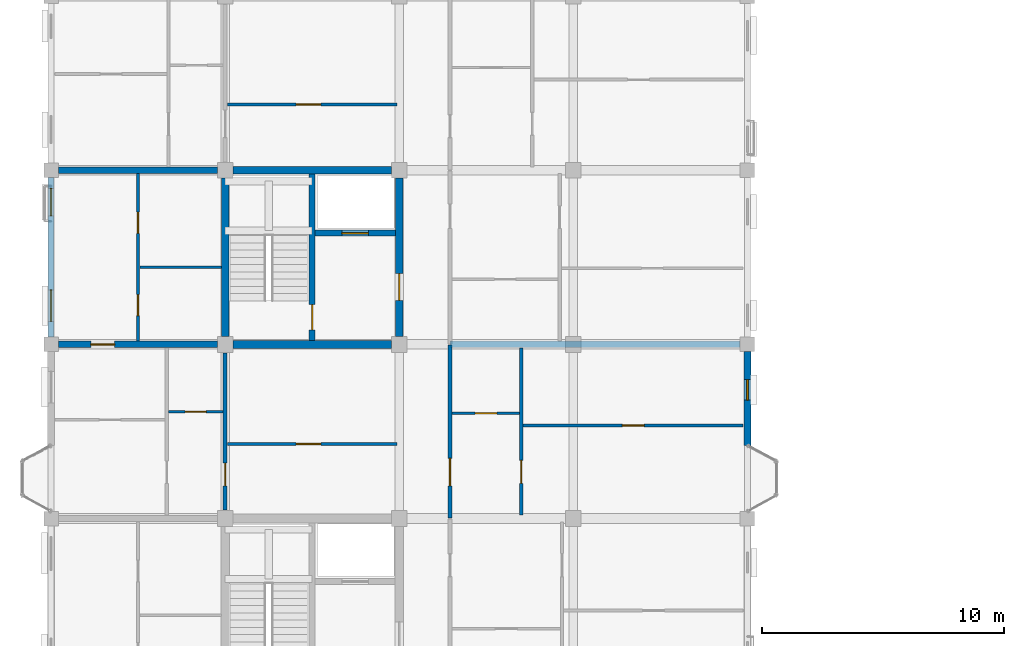
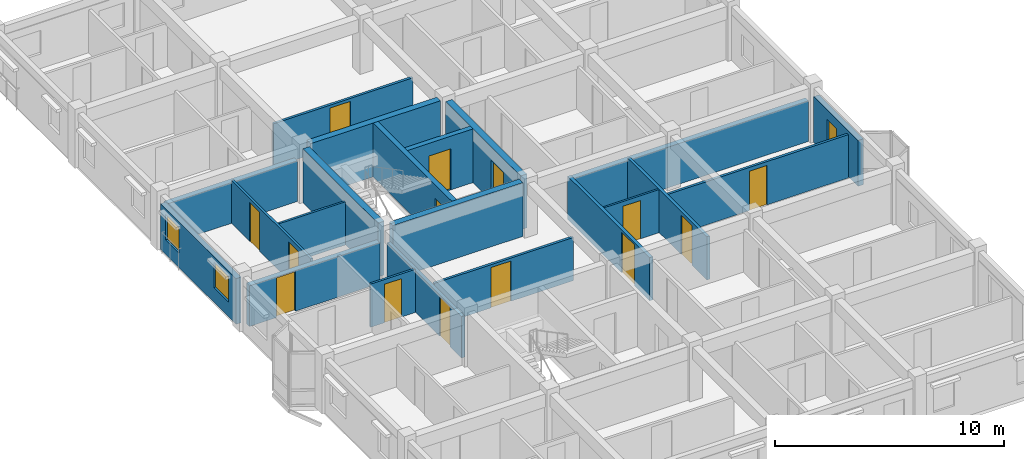
# One storey, part 91 of 124: 21 walls, 14 doors, 3 windows, 17 openings.
"""IFC4 building model written with IfcOpenShell, lengths in metres."""

from ifc_helpers import new_model, si_unit, direction, frame, frame_2d, origin, place, context, subcontext, project, spatial, rectangle, extrude, material, layer, layer_set, type_object, element, fill, save


model = new_model("IFC4")

# Units and contexts
model_context = context("Model", 3, precision=1e-05, world=origin(), true_north=direction((0.0, 1.0)))
body_context = subcontext(model_context, "Body", "Model", "MODEL_VIEW")
ifc_project = project(units=[si_unit("LENGTHUNIT", "METRE"), si_unit("AREAUNIT", "SQUARE_METRE"), si_unit("VOLUMEUNIT", "CUBIC_METRE"), si_unit("PLANEANGLEUNIT", "RADIAN"), si_unit("MASSUNIT", "GRAM", prefix="KILO"), si_unit("THERMODYNAMICTEMPERATUREUNIT", "KELVIN"), si_unit("POWERUNIT", "WATT")], contexts=[model_context])

# Site, building, storey
site_placement = place(None, origin())
site = spatial("IfcSite", under=ifc_project, at=site_placement, CompositionType="ELEMENT")
building_placement = place(site_placement, origin())
building = spatial("IfcBuilding", under=site, at=building_placement, Name="Tavuni Mirador Residences", CompositionType="ELEMENT")
storey_placement = place(building_placement, frame((0.0, 0.0, 7.64990234375)))
storey = spatial("IfcBuildingStorey", under=building, at=storey_placement, Name="L02", CompositionType="ELEMENT", Elevation=7.64990234375)

# Wall, opening, door
ifc_material_1 = material(Name="Precast concrete C40/50", Category="concrete")
ifc_layer_1 = layer(ifc_material_1, 0.25, Name="Precast concrete C40/50", Category="concrete")
ifc_layer_set_1 = layer_set([ifc_layer_1], Name="Precast concrete C40/50")
wall_type_1 = type_object("IfcWallType", Name="WT-COR250", PredefinedType="SHEAR", material=ifc_layer_set_1)
wall_1_placement = place(storey_placement, frame((14.39990234375, 28.9599609375, 0.0), z_axis=(0.0, 0.0, 1.0), x_axis=(0.0, 1.0, 0.0)))
wall_1 = element("IfcWall", 1, at=wall_1_placement, inside=storey, type_object=wall_type_1, Name="CWALL-C2-L02-MID", PredefinedType="SHEAR", context=body_context, shape_type="SweptSolid", body=[
    extrude(rectangle(XDim=6.880126953125, YDim=0.25, at=frame_2d((3.43994140625, 0.0))), origin(), (0.0, 0.0, 1.0), 2.8701171875),
])
opening_1_placement = place(wall_1_placement, frame((0.43994140625, 0.0, 0.0)))
opening_1 = element("IfcOpeningElement", 2, at=opening_1_placement, cuts=wall_1, Name="Opening D-01", PredefinedType="OPENING", context=body_context, shape_type="SweptSolid", body=[
    extrude(rectangle(XDim=1.050048828125, YDim=2.14990234375, at=frame_2d((0.52490234375, 1.074951171875))), frame((0.0, 0.135009765625, 0.0), z_axis=(0.0, -1.0, 0.0), x_axis=(1.0, 0.0, 0.0)), (0.0, 0.0, 1.0), 0.27001953125),
])
ifc_material_2 = material(Name="Solid core iroko timber", Category="wood")
door_type_1 = type_object("IfcDoorType", Name="DT-ST1050", OperationType="NOTDEFINED", PredefinedType="DOOR", material=ifc_material_2)
door_1_placement = place(opening_1_placement, origin())
door_1 = element("IfcDoor", 3, at=door_1_placement, inside=storey, type_object=door_type_1, Name="DR-2066", OperationType="SINGLE_SWING_RIGHT", OverallHeight=2.14990234375, OverallWidth=1.050048828125, PredefinedType="DOOR", context=body_context, shape_type="SweptSolid", body=[
    extrude(rectangle(XDim=1.050048828125, YDim=2.14990234375, at=frame_2d((0.52490234375, 1.074951171875))), frame((0.0, 0.02490234375, 0.0), z_axis=(0.0, -1.0, 0.0), x_axis=(1.0, 0.0, 0.0)), (0.0, 0.0, 1.0), 0.050048828125),
])
fill(opening_1, door_1)

wall_2_placement = place(storey_placement, frame((14.52490234375, 33.39990234375, 0.0), z_axis=(0.0, 0.0, 1.0), x_axis=(1.0, 0.0, 0.0)))
wall_2 = element("IfcWall", 4, at=wall_2_placement, inside=storey, type_object=wall_type_1, Name="CWALL-C2-L02-SHF", PredefinedType="SHEAR", context=body_context, shape_type="SweptSolid", body=[
    extrude(rectangle(XDim=3.315185546875, YDim=0.25, at=frame_2d((1.65771484375, 0.0))), origin(), (0.0, 0.0, 1.0), 2.8701171875),
])
opening_2_placement = place(wall_2_placement, frame((1.10009765625, 0.0, 0.0)))
opening_2 = element("IfcOpeningElement", 5, at=opening_2_placement, cuts=wall_2, Name="Opening LD-01", PredefinedType="OPENING", context=body_context, shape_type="SweptSolid", body=[
    extrude(rectangle(XDim=1.10009765625, YDim=2.199951171875, at=frame_2d((0.550048828125, 1.10009765625))), frame((0.0, 0.135009765625, 0.0), z_axis=(0.0, -1.0, 0.0), x_axis=(1.0, 0.0, 0.0)), (0.0, 0.0, 1.0), 0.27001953125),
])
ifc_material_3 = material(Name="Structural steel S355", Category="steel")
door_type_2 = type_object("IfcDoorType", Name="DT-LD-FF", OperationType="SLIDING_TO_LEFT", PredefinedType="DOOR", material=ifc_material_3)
door_2_placement = place(opening_2_placement, origin())
door_2 = element("IfcDoor", 6, at=door_2_placement, inside=storey, type_object=door_type_2, Name="Lift landing door FL-A2 L02", OperationType="SLIDING_TO_LEFT", OverallHeight=2.199951171875, OverallWidth=1.10009765625, PredefinedType="DOOR", context=body_context, shape_type="SweptSolid", body=[
    extrude(rectangle(XDim=1.10009765625, YDim=2.199951171875, at=frame_2d((0.550048828125, 1.10009765625))), frame((0.0, 0.02490234375, 0.0), z_axis=(0.0, -1.0, 0.0), x_axis=(1.0, 0.0, 0.0)), (0.0, 0.0, 1.0), 0.050048828125),
])
fill(opening_2, door_2)

# Walls
ifc_layer_2 = layer(ifc_material_1, 0.320068359375, Name="Precast concrete C40/50", Category="concrete")
ifc_layer_set_2 = layer_set([ifc_layer_2], Name="Precast concrete C40/50")
wall_type_2 = type_object("IfcWallType", Name="WT-COR320", PredefinedType="SHEAR", material=ifc_layer_set_2)
for number, where, z_axis, x_axis, name in (
    (7, (10.800048828125, 29.125, 0.0), (0.0, 0.0, 1.0), (0.0, 1.0, 0.0), "CWALL-C2-L02-W"),
    (8, (11.125, 36.0, 0.0), (0.0, 0.0, 1.0), (1.0, 0.0, 0.0), "CWALL-C2-L02-N"),
):
    element("IfcWall", number, at=place(storey_placement, frame(where, z_axis=z_axis, x_axis=x_axis)), inside=storey, type_object=wall_type_2, Name=name, PredefinedType="SHEAR", context=body_context, shape_type="SweptSolid", body=[
        extrude(rectangle(XDim=6.550048828125, YDim=0.320068359375, at=frame_2d((3.27490234375, 0.0))), origin(), (0.0, 0.0, 1.0), 2.8701171875),
    ])

# Wall, opening, door
wall_3_placement = place(storey_placement, frame((18.0, 29.125, 0.0), z_axis=(0.0, 0.0, 1.0), x_axis=(0.0, 1.0, 0.0)))
wall_3 = element("IfcWall", 9, at=wall_3_placement, inside=storey, type_object=wall_type_2, Name="CWALL-C2-L02-E", PredefinedType="SHEAR", context=body_context, shape_type="SweptSolid", body=[
    extrude(rectangle(XDim=6.550048828125, YDim=0.320068359375, at=frame_2d((3.27490234375, 0.0))), origin(), (0.0, 0.0, 1.0), 2.8701171875),
])
opening_3_placement = place(wall_3_placement, frame((1.5, 0.0, 0.0)))
opening_3 = element("IfcOpeningElement", 10, at=opening_3_placement, cuts=wall_3, Name="Opening D-02", PredefinedType="OPENING", context=body_context, shape_type="SweptSolid", body=[
    extrude(rectangle(XDim=1.10009765625, YDim=2.14990234375, at=frame_2d((0.550048828125, 1.074951171875))), frame((0.0, 0.169921875, 0.0), z_axis=(0.0, -1.0, 0.0), x_axis=(1.0, 0.0, 0.0)), (0.0, 0.0, 1.0), 0.340087890625),
])
door_type_3 = type_object("IfcDoorType", Name="DT-LOB1100", OperationType="NOTDEFINED", PredefinedType="DOOR", material=ifc_material_2)
door_3_placement = place(opening_3_placement, frame((1.10009765625, 0.0, 0.0), z_axis=(0.0, 0.0, 1.0), x_axis=(-1.0, 0.0, 0.0)))
door_3 = element("IfcDoor", 11, at=door_3_placement, inside=storey, type_object=door_type_3, Name="DR-2065", OperationType="SINGLE_SWING_RIGHT", OverallHeight=2.14990234375, OverallWidth=1.10009765625, PredefinedType="DOOR", context=body_context, shape_type="SweptSolid", body=[
    extrude(rectangle(XDim=1.10009765625, YDim=2.14990234375, at=frame_2d((0.550048828125, 1.074951171875))), frame((0.0, 0.02490234375, 0.0), z_axis=(0.0, -1.0, 0.0), x_axis=(1.0, 0.0, 0.0)), (0.0, 0.0, 1.0), 0.050048828125),
])
fill(opening_3, door_3)

# Wall
wall_4_placement = place(storey_placement, frame((11.125, 28.800048828125, 0.0), z_axis=(0.0, 0.0, 1.0), x_axis=(1.0, 0.0, 0.0)))
element("IfcWall", 12, at=wall_4_placement, inside=storey, type_object=wall_type_2, Name="CWALL-C2-L02-SS", PredefinedType="SHEAR", context=body_context, shape_type="SweptSolid", body=[
    extrude(rectangle(XDim=6.550048828125, YDim=0.320068359375, at=frame_2d((3.27490234375, 0.0))), origin(), (0.0, 0.0, 1.0), 2.8701171875),
])

# Wall, opening, door
ifc_layer_3 = layer(ifc_material_1, 0.1650390625, Name="Precast concrete C40/50", Category="concrete")
ifc_layer_set_3 = layer_set([ifc_layer_3], Name="Precast concrete C40/50")
wall_type_3 = type_object("IfcWallType", Name="WT-CORR165", PredefinedType="PARTITIONING", material=ifc_layer_set_3)
wall_5_placement = place(storey_placement, frame((20.10009765625, 21.6201171875, 0.0), z_axis=(0.0, 0.0, 1.0), x_axis=(0.0, 1.0, 0.0)))
wall_5 = element("IfcWall", 13, at=wall_5_placement, inside=storey, type_object=wall_type_3, Name="CORW-BLK-A-L02-0-02", PredefinedType="PARTITIONING", context=body_context, shape_type="SweptSolid", body=[
    extrude(rectangle(XDim=7.159912109375, YDim=0.1650390625, at=frame_2d((3.580078125, 0.0))), origin(), (0.0, 0.0, 1.0), 2.30517578125),
])
opening_4_placement = place(wall_5_placement, frame((1.330078125, 0.0, 0.0)))
opening_4 = element("IfcOpeningElement", 14, at=opening_4_placement, cuts=wall_5, Name="Opening D-20", PredefinedType="OPENING", context=body_context, shape_type="SweptSolid", body=[
    extrude(rectangle(XDim=1.139892578125, YDim=2.179931640625, at=frame_2d((0.56982421875, 1.08984375))), frame((0.0, 0.092529296875, 0.0), z_axis=(0.0, -1.0, 0.0), x_axis=(1.0, 0.0, 0.0)), (0.0, 0.0, 1.0), 0.18505859375),
])
door_type_4 = type_object("IfcDoorType", Name="DT-FD60-1140", OperationType="NOTDEFINED", PredefinedType="DOOR", material=ifc_material_2)
door_4_placement = place(opening_4_placement, origin())
door_4 = element("IfcDoor", 15, at=door_4_placement, inside=storey, type_object=door_type_4, Name="DR-2405", OperationType="SINGLE_SWING_RIGHT", OverallHeight=2.179931640625, OverallWidth=1.139892578125, PredefinedType="DOOR", context=body_context, shape_type="SweptSolid", body=[
    extrude(rectangle(XDim=1.139892578125, YDim=2.179931640625, at=frame_2d((0.56982421875, 1.08984375))), frame((0.0, 0.02490234375, 0.0), z_axis=(0.0, -1.0, 0.0), x_axis=(1.0, 0.0, 0.0)), (0.0, 0.0, 1.0), 0.050048828125),
])
fill(opening_4, door_4)

wall_6_placement = place(storey_placement, frame((10.800048828125, 21.949951171875, 0.0), z_axis=(0.0, 0.0, 1.0), x_axis=(0.0, 1.0, 0.0)))
wall_6 = element("IfcWall", 16, at=wall_6_placement, inside=storey, type_object=wall_type_3, Name="CORW-BLK-A-L02-1-02", PredefinedType="PARTITIONING", context=body_context, shape_type="SweptSolid", body=[
    extrude(rectangle(XDim=6.5, YDim=0.1650390625, at=frame_2d((3.25, 0.0))), origin(), (0.0, 0.0, 1.0), 2.22021484375),
])
opening_5_placement = place(wall_6_placement, frame((1.0, 0.0, 0.0)))
opening_5 = element("IfcOpeningElement", 17, at=opening_5_placement, cuts=wall_6, Name="Opening D-19", PredefinedType="OPENING", context=body_context, shape_type="SweptSolid", body=[
    extrude(rectangle(XDim=0.93994140625, YDim=2.1201171875, at=frame_2d((0.469970703125, 1.06005859375))), frame((0.0, 0.092529296875, 0.0), z_axis=(0.0, -1.0, 0.0), x_axis=(1.0, 0.0, 0.0)), (0.0, 0.0, 1.0), 0.18505859375),
])
door_type_5 = type_object("IfcDoorType", Name="DT-FD60-940", OperationType="NOTDEFINED", PredefinedType="DOOR", material=ifc_material_2)
door_5_placement = place(opening_5_placement, origin())
door_5 = element("IfcDoor", 18, at=door_5_placement, inside=storey, type_object=door_type_5, Name="DR-2410", OperationType="SINGLE_SWING_LEFT", OverallHeight=2.1201171875, OverallWidth=0.93994140625, PredefinedType="DOOR", context=body_context, shape_type="SweptSolid", body=[
    extrude(rectangle(XDim=0.93994140625, YDim=2.1201171875, at=frame_2d((0.469970703125, 1.06005859375))), frame((0.0, 0.02490234375, 0.0), z_axis=(0.0, -1.0, 0.0), x_axis=(1.0, 0.0, 0.0)), (0.0, 0.0, 1.0), 0.050048828125),
])
fill(opening_5, door_5)

# Wall, openings, windows
ifc_material_4 = material(Name="Sgraffito lime-rendered precast concrete C40/50", Category="concrete")
ifc_layer_4 = layer(ifc_material_4, 0.2548828125, Name="Sgraffito lime-rendered precast concrete C40/50", Category="concrete")
ifc_layer_set_4 = layer_set([ifc_layer_4], Name="Sgraffito lime-rendered precast concrete C40/50")
wall_type_4 = type_object("IfcWallType", Name="WT-EXT-PC255", PredefinedType="SOLIDWALL", material=ifc_layer_set_4)
wall_7_placement = place(storey_placement, frame((3.60009765625, 35.699951171875, 0.0), z_axis=(0.0, 0.0, 1.0), x_axis=(0.0, -1.0, 0.0)))
wall_7 = element("IfcWall", 19, at=wall_7_placement, inside=storey, type_object=wall_type_4, Name="EW-BLK-A-L02-W03", PredefinedType="SOLIDWALL", context=body_context, shape_type="SweptSolid", body=[
    extrude(rectangle(XDim=6.599853515625, YDim=0.2548828125, at=frame_2d((3.2998046875, 0.0))), origin(), (0.0, 0.0, 1.0), 2.440185546875),
])
opening_6_placement = place(wall_7_placement, frame((0.449951171875, 0.0, 0.780029296875)))
opening_6 = element("IfcOpeningElement", 20, at=opening_6_placement, cuts=wall_7, Name="Opening WN-20", PredefinedType="OPENING", context=body_context, shape_type="SweptSolid", body=[
    extrude(rectangle(XDim=1.139892578125, YDim=1.360107421875, at=frame_2d((0.56982421875, 0.68017578125))), frame((0.0, 0.137451171875, 0.0), z_axis=(0.0, -1.0, 0.0), x_axis=(1.0, 0.0, 0.0)), (0.0, 0.0, 1.0), 0.27490234375),
])
opening_7_placement = place(wall_7_placement, frame((4.64990234375, 0.0, 0.780029296875)))
opening_7 = element("IfcOpeningElement", 21, at=opening_7_placement, cuts=wall_7, Name="Opening WN-22", PredefinedType="OPENING", context=body_context, shape_type="SweptSolid", body=[
    extrude(rectangle(XDim=1.300048828125, YDim=1.360107421875, at=frame_2d((0.64990234375, 0.68017578125))), frame((0.0, 0.137451171875, 0.0), z_axis=(0.0, -1.0, 0.0), x_axis=(1.0, 0.0, 0.0)), (0.0, 0.0, 1.0), 0.27490234375),
])
ifc_material_5 = material(Name="Laminated solar-control glass", Category="glass")
window_type_1 = type_object("IfcWindowType", Name="WNT-20", PartitioningType="SINGLE_PANEL", PredefinedType="WINDOW", material=ifc_material_5)
window_1_placement = place(opening_6_placement, origin())
window_1 = element("IfcWindow", 22, at=window_1_placement, inside=storey, type_object=window_type_1, Name="WIN-0107", OverallHeight=1.360107421875, OverallWidth=1.139892578125, PartitioningType="SINGLE_PANEL", PredefinedType="WINDOW", context=body_context, shape_type="SweptSolid", body=[
    extrude(rectangle(XDim=1.139892578125, YDim=1.360107421875, at=frame_2d((0.56982421875, 0.68017578125))), frame((0.0, 0.030029296875, 0.0), z_axis=(0.0, -1.0, 0.0), x_axis=(1.0, 0.0, 0.0)), (0.0, 0.0, 1.0), 0.06005859375),
])
fill(opening_6, window_1)
window_type_2 = type_object("IfcWindowType", Name="WNT-22", PartitioningType="SINGLE_PANEL", PredefinedType="WINDOW", material=ifc_material_5)
window_2_placement = place(opening_7_placement, origin())
window_2 = element("IfcWindow", 23, at=window_2_placement, inside=storey, type_object=window_type_2, Name="WIN-0108", OverallHeight=1.360107421875, OverallWidth=1.300048828125, PartitioningType="SINGLE_PANEL", PredefinedType="WINDOW", context=body_context, shape_type="SweptSolid", body=[
    extrude(rectangle(XDim=1.300048828125, YDim=1.360107421875, at=frame_2d((0.64990234375, 0.68017578125))), frame((0.0, 0.030029296875, 0.0), z_axis=(0.0, -1.0, 0.0), x_axis=(1.0, 0.0, 0.0)), (0.0, 0.0, 1.0), 0.06005859375),
])
fill(opening_7, window_2)

# Wall, opening, window
ifc_layer_5 = layer(ifc_material_4, 0.27490234375, Name="Sgraffito lime-rendered precast concrete C40/50", Category="concrete")
ifc_layer_set_5 = layer_set([ifc_layer_5], Name="Sgraffito lime-rendered precast concrete C40/50")
wall_type_5 = type_object("IfcWallType", Name="WT-EXT-PC275", PredefinedType="SOLIDWALL", material=ifc_layer_set_5)
wall_8_placement = place(storey_placement, frame((32.39990234375, 24.6201171875, 0.0), z_axis=(0.0, 0.0, 1.0), x_axis=(0.0, 1.0, 0.0)))
wall_8 = element("IfcWall", 24, at=wall_8_placement, inside=storey, type_object=wall_type_5, Name="EW-BLK-A-L02-E02", PredefinedType="SOLIDWALL", context=body_context, shape_type="SweptSolid", body=[
    extrude(rectangle(XDim=3.8798828125, YDim=0.27490234375, at=frame_2d((1.93994140625, 0.0))), origin(), (0.0, 0.0, 1.0), 2.440185546875),
])
opening_8_placement = place(wall_8_placement, frame((1.875, 0.0, 0.780029296875)))
opening_8 = element("IfcOpeningElement", 25, at=opening_8_placement, cuts=wall_8, Name="Opening WN-01", PredefinedType="OPENING", context=body_context, shape_type="SweptSolid", body=[
    extrude(rectangle(XDim=0.85009765625, YDim=1.14990234375, at=frame_2d((0.425048828125, 0.574951171875))), frame((0.0, 0.1474609375, 0.0), z_axis=(0.0, -1.0, 0.0), x_axis=(1.0, 0.0, 0.0)), (0.0, 0.0, 1.0), 0.294921875),
])
window_type_3 = type_object("IfcWindowType", Name="WNT-01", PartitioningType="SINGLE_PANEL", PredefinedType="WINDOW", material=ifc_material_5)
window_3_placement = place(opening_8_placement, origin())
window_3 = element("IfcWindow", 26, at=window_3_placement, inside=storey, type_object=window_type_3, Name="WIN-0088", OverallHeight=1.14990234375, OverallWidth=0.85009765625, PartitioningType="SINGLE_PANEL", PredefinedType="WINDOW", context=body_context, shape_type="SweptSolid", body=[
    extrude(rectangle(XDim=0.85009765625, YDim=1.14990234375, at=frame_2d((0.425048828125, 0.574951171875))), frame((0.0, 0.030029296875, 0.0), z_axis=(0.0, -1.0, 0.0), x_axis=(1.0, 0.0, 0.0)), (0.0, 0.0, 1.0), 0.06005859375),
])
fill(opening_8, window_3)

# Wall, opening, door
ifc_material_6 = material(Name="Acoustic gypsum and concrete block partition", Category="concrete")
ifc_layer_6 = layer(ifc_material_6, 0.094970703125, Name="Acoustic gypsum and concrete block partition", Category="concrete")
ifc_layer_set_6 = layer_set([ifc_layer_6], Name="Acoustic gypsum and concrete block partition")
wall_type_6 = type_object("IfcWallType", Name="WT-PART095", PredefinedType="PARTITIONING", material=ifc_layer_set_6)
wall_9_placement = place(storey_placement, frame((20.18994140625, 25.949951171875, 0.0), z_axis=(0.0, 0.0, 1.0), x_axis=(1.0, 0.0, 0.0)))
wall_9 = element("IfcWall", 27, at=wall_9_placement, inside=storey, type_object=wall_type_6, Name="PW-BLK-A-L02-E02-IN1", PredefinedType="PARTITIONING", context=body_context, shape_type="SweptSolid", body=[
    extrude(rectangle(XDim=2.7900390625, YDim=0.094970703125, at=frame_2d((1.39501953125, 0.0))), origin(), (0.0, 0.0, 1.0), 2.30517578125),
])
opening_9_placement = place(wall_9_placement, frame((0.945068359375, 0.0, 0.0)))
opening_9 = element("IfcOpeningElement", 28, at=opening_9_placement, cuts=wall_9, Name="Opening D-09", PredefinedType="OPENING", context=body_context, shape_type="SweptSolid", body=[
    extrude(rectangle(XDim=0.89990234375, YDim=2.050048828125, at=frame_2d((0.449951171875, 1.02490234375))), frame((0.0, 0.0576171875, 0.0), z_axis=(0.0, -1.0, 0.0), x_axis=(1.0, 0.0, 0.0)), (0.0, 0.0, 1.0), 0.114990234375),
])
door_type_6 = type_object("IfcDoorType", Name="DT-WC900", OperationType="NOTDEFINED", PredefinedType="DOOR", material=ifc_material_2)
door_6_placement = place(opening_9_placement, origin())
door_6 = element("IfcDoor", 29, at=door_6_placement, inside=storey, type_object=door_type_6, Name="DR-3007", OperationType="SINGLE_SWING_RIGHT", OverallHeight=2.050048828125, OverallWidth=0.89990234375, PredefinedType="DOOR", context=body_context, shape_type="SweptSolid", body=[
    extrude(rectangle(XDim=0.89990234375, YDim=2.050048828125, at=frame_2d((0.449951171875, 1.02490234375))), frame((0.0, 0.02490234375, 0.0), z_axis=(0.0, -1.0, 0.0), x_axis=(1.0, 0.0, 0.0)), (0.0, 0.0, 1.0), 0.050048828125),
])
fill(opening_9, door_6)

ifc_layer_7 = layer(ifc_material_6, 0.10498046875, Name="Acoustic gypsum and concrete block partition", Category="concrete")
ifc_layer_set_7 = layer_set([ifc_layer_7], Name="Acoustic gypsum and concrete block partition")
wall_type_7 = type_object("IfcWallType", Name="WT-PART105", PredefinedType="PARTITIONING", material=ifc_layer_set_7)
wall_10_placement = place(storey_placement, frame((8.449951171875, 26.02001953125, 0.0), z_axis=(0.0, 0.0, 1.0), x_axis=(1.0, 0.0, 0.0)))
wall_10 = element("IfcWall", 30, at=wall_10_placement, inside=storey, type_object=wall_type_7, Name="PW-BLK-A-L02-W02-IN1", PredefinedType="PARTITIONING", context=body_context, shape_type="SweptSolid", body=[
    extrude(rectangle(XDim=2.260009765625, YDim=0.10498046875, at=frame_2d((1.1298828125, 0.0))), origin(), (0.0, 0.0, 1.0), 2.30517578125),
])
opening_10_placement = place(wall_10_placement, frame((0.695068359375, 0.0, 0.0)))
opening_10 = element("IfcOpeningElement", 31, at=opening_10_placement, cuts=wall_10, Name="Opening D-10", PredefinedType="OPENING", context=body_context, shape_type="SweptSolid", body=[
    extrude(rectangle(XDim=0.8701171875, YDim=2.050048828125, at=frame_2d((0.43505859375, 1.02490234375))), frame((0.0, 0.0625, 0.0), z_axis=(0.0, -1.0, 0.0), x_axis=(1.0, 0.0, 0.0)), (0.0, 0.0, 1.0), 0.125),
])
door_type_7 = type_object("IfcDoorType", Name="DT-WC870", OperationType="NOTDEFINED", PredefinedType="DOOR", material=ifc_material_2)
door_7_placement = place(opening_10_placement, origin())
door_7 = element("IfcDoor", 32, at=door_7_placement, inside=storey, type_object=door_type_7, Name="DR-3004", OperationType="SINGLE_SWING_LEFT", OverallHeight=2.050048828125, OverallWidth=0.8701171875, PredefinedType="DOOR", context=body_context, shape_type="SweptSolid", body=[
    extrude(rectangle(XDim=0.8701171875, YDim=2.050048828125, at=frame_2d((0.43505859375, 1.02490234375))), frame((0.0, 0.02490234375, 0.0), z_axis=(0.0, -1.0, 0.0), x_axis=(1.0, 0.0, 0.0)), (0.0, 0.0, 1.0), 0.050048828125),
])
fill(opening_10, door_7)

# Wall
wall_11_placement = place(storey_placement, frame((7.27001953125, 32.0, 0.0), z_axis=(0.0, 0.0, 1.0), x_axis=(1.0, 0.0, 0.0)))
element("IfcWall", 33, at=wall_11_placement, inside=storey, type_object=wall_type_7, Name="PW-BLK-A-L02-WC03-H", PredefinedType="PARTITIONING", context=body_context, shape_type="SweptSolid", body=[
    extrude(rectangle(XDim=3.389892578125, YDim=0.10498046875, at=frame_2d((1.69482421875, 0.0))), origin(), (0.0, 0.0, 1.0), 2.30517578125),
])

# Wall, openings, doors
ifc_layer_8 = layer(ifc_material_6, 0.114990234375, Name="Acoustic gypsum and concrete block partition", Category="concrete")
ifc_layer_set_8 = layer_set([ifc_layer_8], Name="Acoustic gypsum and concrete block partition")
wall_type_8 = type_object("IfcWallType", Name="WT-PART115", PredefinedType="PARTITIONING", material=ifc_layer_set_8)
wall_12_placement = place(storey_placement, frame((7.199951171875, 28.93994140625, 0.0), z_axis=(0.0, 0.0, 1.0), x_axis=(0.0, 1.0, 0.0)))
wall_12 = element("IfcWall", 34, at=wall_12_placement, inside=storey, type_object=wall_type_8, Name="PW-BLK-A-L02-WC03-M", PredefinedType="PARTITIONING", context=body_context, shape_type="SweptSolid", body=[
    extrude(rectangle(XDim=6.920166015625, YDim=0.114990234375, at=frame_2d((3.4599609375, 0.0))), origin(), (0.0, 0.0, 1.0), 2.30517578125),
])
opening_11_placement = place(wall_12_placement, frame((1.050048828125, 0.0, 0.0)))
opening_11 = element("IfcOpeningElement", 35, at=opening_11_placement, cuts=wall_12, Name="Opening D-10", PredefinedType="OPENING", context=body_context, shape_type="SweptSolid", body=[
    extrude(rectangle(XDim=0.8701171875, YDim=2.050048828125, at=frame_2d((0.43505859375, 1.02490234375))), frame((0.0, 0.0673828125, 0.0), z_axis=(0.0, -1.0, 0.0), x_axis=(1.0, 0.0, 0.0)), (0.0, 0.0, 1.0), 0.135009765625),
])
opening_12_placement = place(wall_12_placement, frame((4.449951171875, 0.0, 0.0)))
opening_12 = element("IfcOpeningElement", 36, at=opening_12_placement, cuts=wall_12, Name="Opening D-08", PredefinedType="OPENING", context=body_context, shape_type="SweptSolid", body=[
    extrude(rectangle(XDim=0.8798828125, YDim=2.080078125, at=frame_2d((0.43994140625, 1.0400390625))), frame((0.0, 0.0673828125, 0.0), z_axis=(0.0, -1.0, 0.0), x_axis=(1.0, 0.0, 0.0)), (0.0, 0.0, 1.0), 0.135009765625),
])
door_type_8 = type_object("IfcDoorType", Name="DT-BED880", OperationType="NOTDEFINED", PredefinedType="DOOR", material=ifc_material_2)
door_8_placement = place(opening_12_placement, origin())
door_8 = element("IfcDoor", 37, at=door_8_placement, inside=storey, type_object=door_type_8, Name="DR-3010", OperationType="SINGLE_SWING_LEFT", OverallHeight=2.080078125, OverallWidth=0.8798828125, PredefinedType="DOOR", context=body_context, shape_type="SweptSolid", body=[
    extrude(rectangle(XDim=0.8798828125, YDim=2.080078125, at=frame_2d((0.43994140625, 1.0400390625))), frame((0.0, 0.02490234375, 0.0), z_axis=(0.0, -1.0, 0.0), x_axis=(1.0, 0.0, 0.0)), (0.0, 0.0, 1.0), 0.050048828125),
])
fill(opening_12, door_8)
door_9_placement = place(opening_11_placement, origin())
door_9 = element("IfcDoor", 38, at=door_9_placement, inside=storey, type_object=door_type_7, Name="DR-3009", OperationType="SINGLE_SWING_RIGHT", OverallHeight=2.050048828125, OverallWidth=0.8701171875, PredefinedType="DOOR", context=body_context, shape_type="SweptSolid", body=[
    extrude(rectangle(XDim=0.8701171875, YDim=2.050048828125, at=frame_2d((0.43505859375, 1.02490234375))), frame((0.0, 0.02490234375, 0.0), z_axis=(0.0, -1.0, 0.0), x_axis=(1.0, 0.0, 0.0)), (0.0, 0.0, 1.0), 0.050048828125),
])
fill(opening_11, door_9)

# Wall, opening, door
ifc_layer_9 = layer(ifc_material_6, 0.125, Name="Acoustic gypsum and concrete block partition", Category="concrete")
ifc_layer_set_9 = layer_set([ifc_layer_9], Name="Acoustic gypsum and concrete block partition")
wall_type_9 = type_object("IfcWallType", Name="WT-PART125", PredefinedType="PARTITIONING", material=ifc_layer_set_9)
wall_13_placement = place(storey_placement, frame((10.889892578125, 24.679931640625, 0.0), z_axis=(0.0, 0.0, 1.0), x_axis=(1.0, 0.0, 0.0)))
wall_13 = element("IfcWall", 39, at=wall_13_placement, inside=storey, type_object=wall_type_9, Name="PW-SPN-BLK-A-L02-02", PredefinedType="PARTITIONING", context=body_context, shape_type="SweptSolid", body=[
    extrude(rectangle(XDim=7.02001953125, YDim=0.125, at=frame_2d((3.510009765625, 0.0))), origin(), (0.0, 0.0, 1.0), 2.30517578125),
])
opening_13_placement = place(wall_13_placement, frame((2.85009765625, 0.0, 0.0)))
opening_13 = element("IfcOpeningElement", 40, at=opening_13_placement, cuts=wall_13, Name="Opening D-13", PredefinedType="OPENING", context=body_context, shape_type="SweptSolid", body=[
    extrude(rectangle(XDim=1.02001953125, YDim=2.14990234375, at=frame_2d((0.510009765625, 1.074951171875))), frame((0.0, 0.072509765625, 0.0), z_axis=(0.0, -1.0, 0.0), x_axis=(1.0, 0.0, 0.0)), (0.0, 0.0, 1.0), 0.14501953125),
])
door_type_9 = type_object("IfcDoorType", Name="DT-MTG1020", OperationType="NOTDEFINED", PredefinedType="DOOR", material=ifc_material_2)
door_10_placement = place(opening_13_placement, origin())
door_10 = element("IfcDoor", 41, at=door_10_placement, inside=storey, type_object=door_type_9, Name="DR-3002", OperationType="SINGLE_SWING_LEFT", OverallHeight=2.14990234375, OverallWidth=1.02001953125, PredefinedType="DOOR", context=body_context, shape_type="SweptSolid", body=[
    extrude(rectangle(XDim=1.02001953125, YDim=2.14990234375, at=frame_2d((0.510009765625, 1.074951171875))), frame((0.0, 0.02490234375, 0.0), z_axis=(0.0, -1.0, 0.0), x_axis=(1.0, 0.0, 0.0)), (0.0, 0.0, 1.0), 0.050048828125),
])
fill(opening_13, door_10)

wall_14_placement = place(storey_placement, frame((23.1201171875, 25.449951171875, 0.0), z_axis=(0.0, 0.0, 1.0), x_axis=(1.0, 0.0, 0.0)))
wall_14 = element("IfcWall", 42, at=wall_14_placement, inside=storey, type_object=wall_type_9, Name="PW-BLK-A-L02-E02-OUT", PredefinedType="PARTITIONING", context=body_context, shape_type="SweptSolid", body=[
    extrude(rectangle(XDim=9.10498046875, YDim=0.125, at=frame_2d((4.552490234375, 0.0))), origin(), (0.0, 0.0, 1.0), 2.30517578125),
])
opening_14_placement = place(wall_14_placement, frame((4.1025390625, 0.0, 0.0)))
opening_14 = element("IfcOpeningElement", 43, at=opening_14_placement, cuts=wall_14, Name="Opening D-07", PredefinedType="OPENING", context=body_context, shape_type="SweptSolid", body=[
    extrude(rectangle(XDim=0.89990234375, YDim=2.10009765625, at=frame_2d((0.449951171875, 1.050048828125))), frame((0.0, 0.072509765625, 0.0), z_axis=(0.0, -1.0, 0.0), x_axis=(1.0, 0.0, 0.0)), (0.0, 0.0, 1.0), 0.14501953125),
])
door_type_10 = type_object("IfcDoorType", Name="DT-BED900", OperationType="NOTDEFINED", PredefinedType="DOOR", material=ifc_material_2)
door_11_placement = place(opening_14_placement, origin())
door_11 = element("IfcDoor", 44, at=door_11_placement, inside=storey, type_object=door_type_10, Name="DR-3006", OperationType="SINGLE_SWING_LEFT", OverallHeight=2.10009765625, OverallWidth=0.89990234375, PredefinedType="DOOR", context=body_context, shape_type="SweptSolid", body=[
    extrude(rectangle(XDim=0.89990234375, YDim=2.10009765625, at=frame_2d((0.449951171875, 1.050048828125))), frame((0.0, 0.02490234375, 0.0), z_axis=(0.0, -1.0, 0.0), x_axis=(1.0, 0.0, 0.0)), (0.0, 0.0, 1.0), 0.050048828125),
])
fill(opening_14, door_11)

wall_15_placement = place(storey_placement, frame((10.889892578125, 38.719970703125, 0.0), z_axis=(0.0, 0.0, 1.0), x_axis=(1.0, 0.0, 0.0)))
wall_15 = element("IfcWall", 45, at=wall_15_placement, inside=storey, type_object=wall_type_9, Name="PW-SPN-BLK-A-L02-04", PredefinedType="PARTITIONING", context=body_context, shape_type="SweptSolid", body=[
    extrude(rectangle(XDim=7.02001953125, YDim=0.125, at=frame_2d((3.510009765625, 0.0))), origin(), (0.0, 0.0, 1.0), 2.30517578125),
])
opening_15_placement = place(wall_15_placement, frame((2.85009765625, 0.0, 0.0)))
opening_15 = element("IfcOpeningElement", 46, at=opening_15_placement, cuts=wall_15, Name="Opening D-13", PredefinedType="OPENING", context=body_context, shape_type="SweptSolid", body=[
    extrude(rectangle(XDim=1.02001953125, YDim=2.14990234375, at=frame_2d((0.510009765625, 1.074951171875))), frame((0.0, 0.072509765625, 0.0), z_axis=(0.0, -1.0, 0.0), x_axis=(1.0, 0.0, 0.0)), (0.0, 0.0, 1.0), 0.14501953125),
])
door_12_placement = place(opening_15_placement, origin())
door_12 = element("IfcDoor", 47, at=door_12_placement, inside=storey, type_object=door_type_9, Name="DR-3014", OperationType="SINGLE_SWING_LEFT", OverallHeight=2.14990234375, OverallWidth=1.02001953125, PredefinedType="DOOR", context=body_context, shape_type="SweptSolid", body=[
    extrude(rectangle(XDim=1.02001953125, YDim=2.14990234375, at=frame_2d((0.510009765625, 1.074951171875))), frame((0.0, 0.02490234375, 0.0), z_axis=(0.0, -1.0, 0.0), x_axis=(1.0, 0.0, 0.0)), (0.0, 0.0, 1.0), 0.050048828125),
])
fill(opening_15, door_12)

ifc_layer_10 = layer(ifc_material_6, 0.14990234375, Name="Acoustic gypsum and concrete block partition", Category="concrete")
ifc_layer_set_10 = layer_set([ifc_layer_10], Name="Acoustic gypsum and concrete block partition")
wall_type_10 = type_object("IfcWallType", Name="WT-PART150", PredefinedType="PARTITIONING", material=ifc_layer_set_10)
wall_16_placement = place(storey_placement, frame((23.050048828125, 21.739990234375, 0.0), z_axis=(0.0, 0.0, 1.0), x_axis=(0.0, 1.0, 0.0)))
wall_16 = element("IfcWall", 48, at=wall_16_placement, inside=storey, type_object=wall_type_10, Name="PW-BLK-A-L02-E02-MID", PredefinedType="PARTITIONING", context=body_context, shape_type="SweptSolid", body=[
    extrude(rectangle(XDim=6.919921875, YDim=0.14990234375, at=frame_2d((3.4599609375, 0.0))), origin(), (0.0, 0.0, 1.0), 2.30517578125),
])
opening_16_placement = place(wall_16_placement, frame((1.31005859375, 0.0, 0.0)))
opening_16 = element("IfcOpeningElement", 49, at=opening_16_placement, cuts=wall_16, Name="Opening D-05", PredefinedType="OPENING", context=body_context, shape_type="SweptSolid", body=[
    extrude(rectangle(XDim=0.949951171875, YDim=2.10009765625, at=frame_2d((0.47509765625, 1.050048828125))), frame((0.0, 0.0849609375, 0.0), z_axis=(0.0, -1.0, 0.0), x_axis=(1.0, 0.0, 0.0)), (0.0, 0.0, 1.0), 0.169921875),
])
door_type_11 = type_object("IfcDoorType", Name="DT-INT950", OperationType="NOTDEFINED", PredefinedType="DOOR", material=ifc_material_2)
door_13_placement = place(opening_16_placement, origin())
door_13 = element("IfcDoor", 50, at=door_13_placement, inside=storey, type_object=door_type_11, Name="DR-3008", OperationType="SINGLE_SWING_LEFT", OverallHeight=2.10009765625, OverallWidth=0.949951171875, PredefinedType="DOOR", context=body_context, shape_type="SweptSolid", body=[
    extrude(rectangle(XDim=0.949951171875, YDim=2.10009765625, at=frame_2d((0.47509765625, 1.050048828125))), frame((0.0, 0.02490234375, 0.0), z_axis=(0.0, -1.0, 0.0), x_axis=(1.0, 0.0, 0.0)), (0.0, 0.0, 1.0), 0.050048828125),
])
fill(opening_16, door_13)

ifc_layer_11 = layer(ifc_material_1, 0.264892578125, Name="Precast concrete C40/50", Category="concrete")
ifc_layer_set_11 = layer_set([ifc_layer_11], Name="Precast concrete C40/50")
wall_type_11 = type_object("IfcWallType", Name="WT-XW265", PredefinedType="SOLIDWALL", material=ifc_layer_set_11)
wall_17_placement = place(storey_placement, frame((3.89990234375, 28.800048828125, 0.0), z_axis=(0.0, 0.0, 1.0), x_axis=(1.0, 0.0, 0.0)))
wall_17 = element("IfcWall", 51, at=wall_17_placement, inside=storey, type_object=wall_type_11, Name="XW-BLK-A-L02-W-03", PredefinedType="SOLIDWALL", context=body_context, shape_type="SweptSolid", body=[
    extrude(rectangle(XDim=6.5751953125, YDim=0.264892578125, at=frame_2d((3.28759765625, 0.0))), origin(), (0.0, 0.0, 1.0), 2.170166015625),
])
opening_17_placement = place(wall_17_placement, frame((1.35009765625, 0.0, 0.0)))
opening_17 = element("IfcOpeningElement", 52, at=opening_17_placement, cuts=wall_17, Name="Opening D-04", PredefinedType="OPENING", context=body_context, shape_type="SweptSolid", body=[
    extrude(rectangle(XDim=0.97998046875, YDim=2.1201171875, at=frame_2d((0.489990234375, 1.06005859375))), frame((0.0, 0.142578125, 0.0), z_axis=(0.0, -1.0, 0.0), x_axis=(1.0, 0.0, 0.0)), (0.0, 0.0, 1.0), 0.284912109375),
])
door_type_12 = type_object("IfcDoorType", Name="DT-FD60-980", OperationType="NOTDEFINED", PredefinedType="DOOR", material=ifc_material_2)
door_14_placement = place(opening_17_placement, origin())
door_14 = element("IfcDoor", 53, at=door_14_placement, inside=storey, type_object=door_type_12, Name="DR-4679", OperationType="SINGLE_SWING_RIGHT", OverallHeight=2.1201171875, OverallWidth=0.97998046875, PredefinedType="DOOR", context=body_context, shape_type="SweptSolid", body=[
    extrude(rectangle(XDim=0.97998046875, YDim=2.1201171875, at=frame_2d((0.489990234375, 1.06005859375))), frame((0.0, 0.02490234375, 0.0), z_axis=(0.0, -1.0, 0.0), x_axis=(1.0, 0.0, 0.0)), (0.0, 0.0, 1.0), 0.050048828125),
])
fill(opening_17, door_14)

# Walls
wall_18_placement = place(storey_placement, frame((20.10009765625, 28.800048828125, 0.0), z_axis=(0.0, 0.0, 1.0), x_axis=(1.0, 0.0, 0.0)))
element("IfcWall", 54, at=wall_18_placement, inside=storey, type_object=wall_type_11, Name="XW-BLK-A-L02-E-03", PredefinedType="SOLIDWALL", context=body_context, shape_type="SweptSolid", body=[
    extrude(rectangle(XDim=12.0, YDim=0.264892578125, at=frame_2d((6.0, 0.0))), origin(), (0.0, 0.0, 1.0), 2.170166015625),
])
wall_19_placement = place(storey_placement, frame((3.89990234375, 36.0, 0.0), z_axis=(0.0, 0.0, 1.0), x_axis=(1.0, 0.0, 0.0)))
element("IfcWall", 55, at=wall_19_placement, inside=storey, type_object=wall_type_11, Name="XW-BLK-A-L02-W-04", PredefinedType="SOLIDWALL", context=body_context, shape_type="SweptSolid", body=[
    extrude(rectangle(XDim=6.5751953125, YDim=0.264892578125, at=frame_2d((3.28759765625, 0.0))), origin(), (0.0, 0.0, 1.0), 2.170166015625),
])

save(model, "model.ifc")
